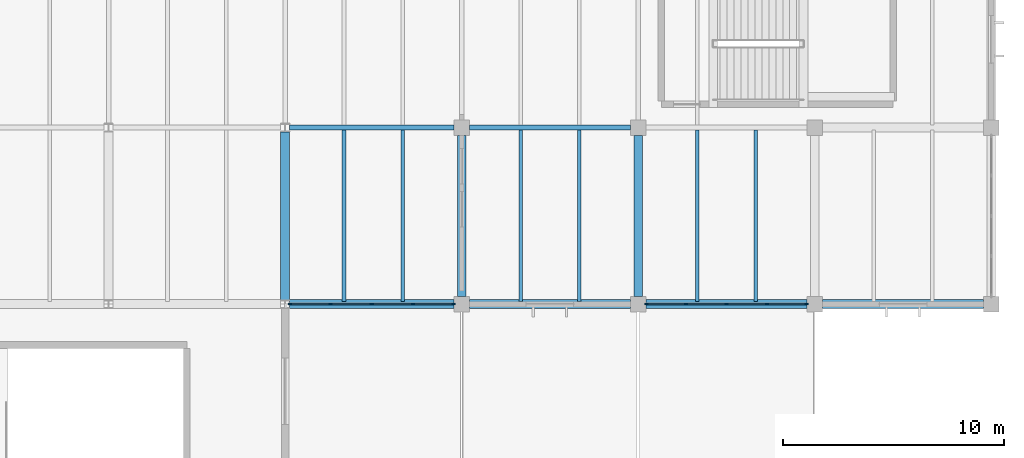
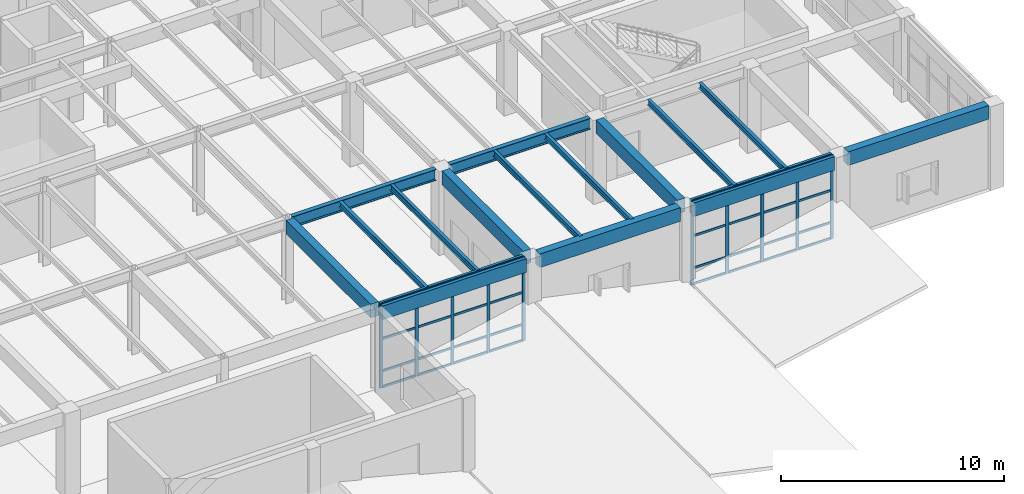
# One storey, part 26 of 60: 42 members, 15 beams, 2 elements without a shape of their own.
"""IFC4 building model written with IfcOpenShell, lengths in metres."""

from ifc_helpers import new_model, si_unit, direction, frame, origin, origin_2d, place, context, subcontext, project, spatial, rectangle, i_section, extrude, material, layer, layer_set, material_profile, profile_set, type_object, element, aggregate, save


model = new_model("IFC4")

# Units and contexts
model_context = context("Model", 3, precision=1e-05, world=origin(), true_north=direction((0.0, 1.0)))
body_context = subcontext(model_context, "Body", "Model", "MODEL_VIEW")
ifc_project = project(units=[si_unit("LENGTHUNIT", "METRE"), si_unit("AREAUNIT", "SQUARE_METRE"), si_unit("VOLUMEUNIT", "CUBIC_METRE"), si_unit("PLANEANGLEUNIT", "RADIAN"), si_unit("MASSUNIT", "GRAM", prefix="KILO")], contexts=[model_context])

# Site, building, storey
site_placement = place(None, origin())
site = spatial("IfcSite", under=ifc_project, at=site_placement, CompositionType="ELEMENT")
building_placement = place(site_placement, origin())
building = spatial("IfcBuilding", under=site, at=building_placement, Name="Varnela Railside Interchange", CompositionType="ELEMENT")
storey_placement = place(building_placement, frame((0.0, 0.0, 6.300048828125)))
storey = spatial("IfcBuildingStorey", under=building, at=storey_placement, Name="L01", CompositionType="ELEMENT", Elevation=6.300048828125)

# Beams
ifc_material_1 = material(Name="Steel AR 350 (350 MPa)", Category="steel")
ifc_material_profile_1 = material_profile(ifc_material_1, i_section(OverallWidth=0.1650390625, OverallDepth=0.31005859375, WebThickness=0.005859375, FlangeThickness=0.009765625, at=origin_2d()), Name="W310x38.7")
ifc_profile_set_1 = profile_set([ifc_material_profile_1], Name="Steel AR 350 (350 MPa)")
beam_type_1 = type_object("IfcBeamType", Name="Composite Floor Joist J-04", PredefinedType="JOIST", material=ifc_profile_set_1)
for number, where, z_axis, x_axis, name in (
    (1, (134.669921875, 38.114501953125, 4.445068359375), (0.0, 1.0, 0.0), (-1.0, 0.0, 0.0), "Composite Floor Joist J-04 (L01) (BM-1510)"),
    (2, (137.330078125, 38.114501953125, 4.445068359375), (0.0, 1.0, 0.0), (-1.0, 0.0, 0.0), "Composite Floor Joist J-04 (L01) (BM-1511)"),
    (3, (142.669921875, 38.114501953125, 4.445068359375), (0.0, 1.0, 0.0), (-1.0, 0.0, 0.0), "Composite Floor Joist J-04 (L01) (BM-1520)"),
    (4, (145.330078125, 38.114501953125, 4.445068359375), (0.0, 1.0, 0.0), (-1.0, 0.0, 0.0), "Composite Floor Joist J-04 (L01) (BM-1521)"),
    (5, (150.669921875, 38.114501953125, 4.445068359375), (0.0, 1.0, 0.0), (-1.0, 0.0, 0.0), "Composite Floor Joist J-04 (L01) (BM-1526)"),
    (6, (153.330078125, 38.114501953125, 4.445068359375), (0.0, 1.0, 0.0), (-1.0, 0.0, 0.0), "Composite Floor Joist J-04 (L01) (BM-1527)"),
):
    element("IfcBeam", number, at=place(storey_placement, frame(where, z_axis=z_axis, x_axis=x_axis)), inside=storey, type_object=beam_type_1, Name=name, PredefinedType="JOIST", context=body_context, shape_type="SweptSolid", body=[
        extrude(i_section(OverallWidth=0.1650390625, OverallDepth=0.31005859375, WebThickness=0.005859375, FlangeThickness=0.009765625, at=origin_2d()), origin(), (0.0, 0.0, 1.0), 7.77099609375),
    ])

# Curtain wall, members
ifc_material_2 = material(Name="Aluminium 6063-T6", Category="aluminium")
ifc_layer = layer(ifc_material_2, 0.035888671875)
ifc_layer_set = layer_set([ifc_layer], Name="Aluminium 6063-T6")
curtain_wall_type = type_object("IfcCurtainWallType", Name="Study Pavilion Gallery Curtain Wall CW-02", PredefinedType="USERDEFINED", material=ifc_layer_set)
curtain_wall_1_placement = place(storey_placement, origin())
curtain_wall_1 = element("IfcCurtainWall", 7, at=curtain_wall_1_placement, inside=storey, type_object=curtain_wall_type, Name="Curtain Wall CW-02 (L01) (CW-039)", ObjectType="CURTAIN WALL", PredefinedType="USERDEFINED")
ifc_material_profile_2 = material_profile(ifc_material_2, rectangle(XDim=0.06005859375, YDim=0.159912109375, at=origin_2d()), Name="ALU 60x160")
ifc_profile_set_2 = profile_set([ifc_material_profile_2], Name="Aluminium 6063-T6")
member_type_1 = type_object("IfcMemberType", Name="Curtain Wall Mullion ML-02", PredefinedType="MULLION", material=ifc_profile_set_2)
member_1_placement = place(storey_placement, frame((155.6201171875, 38.0, 0.0), z_axis=(0.0, 0.0, 1.0), x_axis=(0.0, -1.0, 0.0)))
member_1 = element("IfcMember", 8, at=member_1_placement, type_object=member_type_1, Name="CW-02 mullion 1", PredefinedType="MULLION", context=body_context, shape_type="SweptSolid", body=[
    extrude(rectangle(XDim=0.06005859375, YDim=0.159912109375, at=origin_2d()), origin(), (0.0, 0.0, 1.0), 4.599853515625),
])
member_2_placement = place(storey_placement, frame((153.824951171875, 38.0, 0.0), z_axis=(0.0, 0.0, 1.0), x_axis=(0.0, -1.0, 0.0)))
member_2 = element("IfcMember", 9, at=member_2_placement, type_object=member_type_1, Name="CW-02 mullion 2", PredefinedType="MULLION", context=body_context, shape_type="SweptSolid", body=[
    extrude(rectangle(XDim=0.06005859375, YDim=0.159912109375, at=origin_2d()), origin(), (0.0, 0.0, 1.0), 4.599853515625),
])
member_3_placement = place(storey_placement, frame((152.0, 38.0, 0.0), z_axis=(0.0, 0.0, 1.0), x_axis=(0.0, -1.0, 0.0)))
member_3 = element("IfcMember", 10, at=member_3_placement, type_object=member_type_1, Name="CW-02 mullion 3", PredefinedType="MULLION", context=body_context, shape_type="SweptSolid", body=[
    extrude(rectangle(XDim=0.06005859375, YDim=0.159912109375, at=origin_2d()), origin(), (0.0, 0.0, 1.0), 4.599853515625),
])
member_4_placement = place(storey_placement, frame((150.175048828125, 38.0, 0.0), z_axis=(0.0, 0.0, 1.0), x_axis=(0.0, -1.0, 0.0)))
member_4 = element("IfcMember", 11, at=member_4_placement, type_object=member_type_1, Name="CW-02 mullion 4", PredefinedType="MULLION", context=body_context, shape_type="SweptSolid", body=[
    extrude(rectangle(XDim=0.06005859375, YDim=0.159912109375, at=origin_2d()), origin(), (0.0, 0.0, 1.0), 4.599853515625),
])
member_5_placement = place(storey_placement, frame((148.3798828125, 38.0, 0.0), z_axis=(0.0, 0.0, 1.0), x_axis=(0.0, -1.0, 0.0)))
member_5 = element("IfcMember", 12, at=member_5_placement, type_object=member_type_1, Name="CW-02 mullion 5", PredefinedType="MULLION", context=body_context, shape_type="SweptSolid", body=[
    extrude(rectangle(XDim=0.06005859375, YDim=0.159912109375, at=origin_2d()), origin(), (0.0, 0.0, 1.0), 4.599853515625),
])

curtain_wall_2_placement = place(storey_placement, origin())
curtain_wall_2 = element("IfcCurtainWall", 13, at=curtain_wall_2_placement, inside=storey, type_object=curtain_wall_type, Name="Curtain Wall CW-02 (L01) (CW-041)", ObjectType="CURTAIN WALL", PredefinedType="USERDEFINED")
member_6_placement = place(storey_placement, frame((139.6201171875, 38.0, 0.0), z_axis=(0.0, 0.0, 1.0), x_axis=(0.0, -1.0, 0.0)))
member_6 = element("IfcMember", 14, at=member_6_placement, type_object=member_type_1, Name="CW-02 mullion 1", PredefinedType="MULLION", context=body_context, shape_type="SweptSolid", body=[
    extrude(rectangle(XDim=0.06005859375, YDim=0.159912109375, at=origin_2d()), origin(), (0.0, 0.0, 1.0), 4.599853515625),
])
member_7_placement = place(storey_placement, frame((137.787353515625, 38.0, 0.0), z_axis=(0.0, 0.0, 1.0), x_axis=(0.0, -1.0, 0.0)))
member_7 = element("IfcMember", 15, at=member_7_placement, type_object=member_type_1, Name="CW-02 mullion 2", PredefinedType="MULLION", context=body_context, shape_type="SweptSolid", body=[
    extrude(rectangle(XDim=0.06005859375, YDim=0.159912109375, at=origin_2d()), origin(), (0.0, 0.0, 1.0), 4.599853515625),
])
member_8_placement = place(storey_placement, frame((135.924560546875, 38.0, 0.0), z_axis=(0.0, 0.0, 1.0), x_axis=(0.0, -1.0, 0.0)))
member_8 = element("IfcMember", 16, at=member_8_placement, type_object=member_type_1, Name="CW-02 mullion 3", PredefinedType="MULLION", context=body_context, shape_type="SweptSolid", body=[
    extrude(rectangle(XDim=0.06005859375, YDim=0.159912109375, at=origin_2d()), origin(), (0.0, 0.0, 1.0), 4.599853515625),
])
member_9_placement = place(storey_placement, frame((134.061767578125, 38.0, 0.0), z_axis=(0.0, 0.0, 1.0), x_axis=(0.0, -1.0, 0.0)))
member_9 = element("IfcMember", 17, at=member_9_placement, type_object=member_type_1, Name="CW-02 mullion 4", PredefinedType="MULLION", context=body_context, shape_type="SweptSolid", body=[
    extrude(rectangle(XDim=0.06005859375, YDim=0.159912109375, at=origin_2d()), origin(), (0.0, 0.0, 1.0), 4.599853515625),
])
member_10_placement = place(storey_placement, frame((132.22900390625, 38.0, 0.0), z_axis=(0.0, 0.0, 1.0), x_axis=(0.0, -1.0, 0.0)))
member_10 = element("IfcMember", 18, at=member_10_placement, type_object=member_type_1, Name="CW-02 mullion 5", PredefinedType="MULLION", context=body_context, shape_type="SweptSolid", body=[
    extrude(rectangle(XDim=0.06005859375, YDim=0.159912109375, at=origin_2d()), origin(), (0.0, 0.0, 1.0), 4.599853515625),
])

# Member
ifc_material_profile_3 = material_profile(ifc_material_2, rectangle(XDim=0.06005859375, YDim=0.1201171875, at=origin_2d()), Name="ALU 60x120")
ifc_profile_set_3 = profile_set([ifc_material_profile_3], Name="Aluminium 6063-T6")
member_type_2 = type_object("IfcMemberType", Name="Curtain Wall Transom TR-02", PredefinedType="USERDEFINED", material=ifc_profile_set_3)
member_11_placement = place(storey_placement, frame((155.590087890625, 38.0, 0.030029296875), z_axis=(-1.0, 0.0, 0.0), x_axis=(0.0, -1.0, 0.0)))
member_11 = element("IfcMember", 19, at=member_11_placement, type_object=member_type_2, Name="CW-02 transom 1.1", ObjectType="TRANSOM", PredefinedType="USERDEFINED", context=body_context, shape_type="SweptSolid", body=[
    extrude(rectangle(XDim=0.06005859375, YDim=0.1201171875, at=origin_2d()), origin(), (0.0, 0.0, 1.0), 1.735107421875),
])

member_12_placement = place(storey_placement, frame((155.590087890625, 38.0, 0.89990234375), z_axis=(-1.0, 0.0, 0.0), x_axis=(0.0, -1.0, 0.0)))
member_12 = element("IfcMember", 20, at=member_12_placement, type_object=member_type_2, Name="CW-02 transom 1.2", ObjectType="TRANSOM", PredefinedType="USERDEFINED", context=body_context, shape_type="SweptSolid", body=[
    extrude(rectangle(XDim=0.06005859375, YDim=0.1201171875, at=origin_2d()), origin(), (0.0, 0.0, 1.0), 1.735107421875),
])

member_13_placement = place(storey_placement, frame((155.590087890625, 38.0, 2.66796875), z_axis=(-1.0, 0.0, 0.0), x_axis=(0.0, -1.0, 0.0)))
member_13 = element("IfcMember", 21, at=member_13_placement, type_object=member_type_2, Name="CW-02 transom 1.3", ObjectType="TRANSOM", PredefinedType="USERDEFINED", context=body_context, shape_type="SweptSolid", body=[
    extrude(rectangle(XDim=0.06005859375, YDim=0.1201171875, at=origin_2d()), origin(), (0.0, 0.0, 1.0), 1.735107421875),
])

member_14_placement = place(storey_placement, frame((155.590087890625, 38.0, 4.570068359375), z_axis=(-1.0, 0.0, 0.0), x_axis=(0.0, -1.0, 0.0)))
member_14 = element("IfcMember", 22, at=member_14_placement, type_object=member_type_2, Name="CW-02 transom 1.4", ObjectType="TRANSOM", PredefinedType="USERDEFINED", context=body_context, shape_type="SweptSolid", body=[
    extrude(rectangle(XDim=0.06005859375, YDim=0.1201171875, at=origin_2d()), origin(), (0.0, 0.0, 1.0), 1.735107421875),
])

member_15_placement = place(storey_placement, frame((153.794921875, 38.0, 0.030029296875), z_axis=(-1.0, 0.0, 0.0), x_axis=(0.0, -1.0, 0.0)))
member_15 = element("IfcMember", 23, at=member_15_placement, type_object=member_type_2, Name="CW-02 transom 2.1", ObjectType="TRANSOM", PredefinedType="USERDEFINED", context=body_context, shape_type="SweptSolid", body=[
    extrude(rectangle(XDim=0.06005859375, YDim=0.1201171875, at=origin_2d()), origin(), (0.0, 0.0, 1.0), 1.764892578125),
])

member_16_placement = place(storey_placement, frame((153.794921875, 38.0, 0.89990234375), z_axis=(-1.0, 0.0, 0.0), x_axis=(0.0, -1.0, 0.0)))
member_16 = element("IfcMember", 24, at=member_16_placement, type_object=member_type_2, Name="CW-02 transom 2.2", ObjectType="TRANSOM", PredefinedType="USERDEFINED", context=body_context, shape_type="SweptSolid", body=[
    extrude(rectangle(XDim=0.06005859375, YDim=0.1201171875, at=origin_2d()), origin(), (0.0, 0.0, 1.0), 1.764892578125),
])

member_17_placement = place(storey_placement, frame((153.794921875, 38.0, 2.66796875), z_axis=(-1.0, 0.0, 0.0), x_axis=(0.0, -1.0, 0.0)))
member_17 = element("IfcMember", 25, at=member_17_placement, type_object=member_type_2, Name="CW-02 transom 2.3", ObjectType="TRANSOM", PredefinedType="USERDEFINED", context=body_context, shape_type="SweptSolid", body=[
    extrude(rectangle(XDim=0.06005859375, YDim=0.1201171875, at=origin_2d()), origin(), (0.0, 0.0, 1.0), 1.764892578125),
])

member_18_placement = place(storey_placement, frame((153.794921875, 38.0, 4.570068359375), z_axis=(-1.0, 0.0, 0.0), x_axis=(0.0, -1.0, 0.0)))
member_18 = element("IfcMember", 26, at=member_18_placement, type_object=member_type_2, Name="CW-02 transom 2.4", ObjectType="TRANSOM", PredefinedType="USERDEFINED", context=body_context, shape_type="SweptSolid", body=[
    extrude(rectangle(XDim=0.06005859375, YDim=0.1201171875, at=origin_2d()), origin(), (0.0, 0.0, 1.0), 1.764892578125),
])

member_19_placement = place(storey_placement, frame((151.969970703125, 38.0, 0.030029296875), z_axis=(-1.0, 0.0, 0.0), x_axis=(0.0, -1.0, 0.0)))
member_19 = element("IfcMember", 27, at=member_19_placement, type_object=member_type_2, Name="CW-02 transom 3.1", ObjectType="TRANSOM", PredefinedType="USERDEFINED", context=body_context, shape_type="SweptSolid", body=[
    extrude(rectangle(XDim=0.06005859375, YDim=0.1201171875, at=origin_2d()), origin(), (0.0, 0.0, 1.0), 1.764892578125),
])

member_20_placement = place(storey_placement, frame((151.969970703125, 38.0, 0.89990234375), z_axis=(-1.0, 0.0, 0.0), x_axis=(0.0, -1.0, 0.0)))
member_20 = element("IfcMember", 28, at=member_20_placement, type_object=member_type_2, Name="CW-02 transom 3.2", ObjectType="TRANSOM", PredefinedType="USERDEFINED", context=body_context, shape_type="SweptSolid", body=[
    extrude(rectangle(XDim=0.06005859375, YDim=0.1201171875, at=origin_2d()), origin(), (0.0, 0.0, 1.0), 1.764892578125),
])

member_21_placement = place(storey_placement, frame((151.969970703125, 38.0, 2.66796875), z_axis=(-1.0, 0.0, 0.0), x_axis=(0.0, -1.0, 0.0)))
member_21 = element("IfcMember", 29, at=member_21_placement, type_object=member_type_2, Name="CW-02 transom 3.3", ObjectType="TRANSOM", PredefinedType="USERDEFINED", context=body_context, shape_type="SweptSolid", body=[
    extrude(rectangle(XDim=0.06005859375, YDim=0.1201171875, at=origin_2d()), origin(), (0.0, 0.0, 1.0), 1.764892578125),
])

member_22_placement = place(storey_placement, frame((151.969970703125, 38.0, 4.570068359375), z_axis=(-1.0, 0.0, 0.0), x_axis=(0.0, -1.0, 0.0)))
member_22 = element("IfcMember", 30, at=member_22_placement, type_object=member_type_2, Name="CW-02 transom 3.4", ObjectType="TRANSOM", PredefinedType="USERDEFINED", context=body_context, shape_type="SweptSolid", body=[
    extrude(rectangle(XDim=0.06005859375, YDim=0.1201171875, at=origin_2d()), origin(), (0.0, 0.0, 1.0), 1.764892578125),
])

member_23_placement = place(storey_placement, frame((150.14501953125, 38.0, 0.030029296875), z_axis=(-1.0, 0.0, 0.0), x_axis=(0.0, -1.0, 0.0)))
member_23 = element("IfcMember", 31, at=member_23_placement, type_object=member_type_2, Name="CW-02 transom 4.1", ObjectType="TRANSOM", PredefinedType="USERDEFINED", context=body_context, shape_type="SweptSolid", body=[
    extrude(rectangle(XDim=0.06005859375, YDim=0.1201171875, at=origin_2d()), origin(), (0.0, 0.0, 1.0), 1.735107421875),
])

member_24_placement = place(storey_placement, frame((150.14501953125, 38.0, 0.89990234375), z_axis=(-1.0, 0.0, 0.0), x_axis=(0.0, -1.0, 0.0)))
member_24 = element("IfcMember", 32, at=member_24_placement, type_object=member_type_2, Name="CW-02 transom 4.2", ObjectType="TRANSOM", PredefinedType="USERDEFINED", context=body_context, shape_type="SweptSolid", body=[
    extrude(rectangle(XDim=0.06005859375, YDim=0.1201171875, at=origin_2d()), origin(), (0.0, 0.0, 1.0), 1.735107421875),
])

member_25_placement = place(storey_placement, frame((150.14501953125, 38.0, 2.66796875), z_axis=(-1.0, 0.0, 0.0), x_axis=(0.0, -1.0, 0.0)))
member_25 = element("IfcMember", 33, at=member_25_placement, type_object=member_type_2, Name="CW-02 transom 4.3", ObjectType="TRANSOM", PredefinedType="USERDEFINED", context=body_context, shape_type="SweptSolid", body=[
    extrude(rectangle(XDim=0.06005859375, YDim=0.1201171875, at=origin_2d()), origin(), (0.0, 0.0, 1.0), 1.735107421875),
])

member_26_placement = place(storey_placement, frame((150.14501953125, 38.0, 4.570068359375), z_axis=(-1.0, 0.0, 0.0), x_axis=(0.0, -1.0, 0.0)))
member_26 = element("IfcMember", 34, at=member_26_placement, type_object=member_type_2, Name="CW-02 transom 4.4", ObjectType="TRANSOM", PredefinedType="USERDEFINED", context=body_context, shape_type="SweptSolid", body=[
    extrude(rectangle(XDim=0.06005859375, YDim=0.1201171875, at=origin_2d()), origin(), (0.0, 0.0, 1.0), 1.735107421875),
])

aggregate(curtain_wall_1, [member_1, member_2, member_3, member_4, member_5, member_11, member_12, member_13, member_14, member_15, member_16, member_17, member_18, member_19, member_20, member_21, member_22, member_23, member_24, member_25, member_26])

member_27_placement = place(storey_placement, frame((139.590087890625, 38.0, 0.030029296875), z_axis=(-1.0, 0.0, 0.0), x_axis=(0.0, -1.0, 0.0)))
member_27 = element("IfcMember", 35, at=member_27_placement, type_object=member_type_2, Name="CW-02 transom 1.1", ObjectType="TRANSOM", PredefinedType="USERDEFINED", context=body_context, shape_type="SweptSolid", body=[
    extrude(rectangle(XDim=0.06005859375, YDim=0.1201171875, at=origin_2d()), origin(), (0.0, 0.0, 1.0), 1.77294921875),
])

member_28_placement = place(storey_placement, frame((139.590087890625, 38.0, 0.89990234375), z_axis=(-1.0, 0.0, 0.0), x_axis=(0.0, -1.0, 0.0)))
member_28 = element("IfcMember", 36, at=member_28_placement, type_object=member_type_2, Name="CW-02 transom 1.2", ObjectType="TRANSOM", PredefinedType="USERDEFINED", context=body_context, shape_type="SweptSolid", body=[
    extrude(rectangle(XDim=0.06005859375, YDim=0.1201171875, at=origin_2d()), origin(), (0.0, 0.0, 1.0), 1.77294921875),
])

member_29_placement = place(storey_placement, frame((139.590087890625, 38.0, 2.66796875), z_axis=(-1.0, 0.0, 0.0), x_axis=(0.0, -1.0, 0.0)))
member_29 = element("IfcMember", 37, at=member_29_placement, type_object=member_type_2, Name="CW-02 transom 1.3", ObjectType="TRANSOM", PredefinedType="USERDEFINED", context=body_context, shape_type="SweptSolid", body=[
    extrude(rectangle(XDim=0.06005859375, YDim=0.1201171875, at=origin_2d()), origin(), (0.0, 0.0, 1.0), 1.77294921875),
])

member_30_placement = place(storey_placement, frame((139.590087890625, 38.0, 4.570068359375), z_axis=(-1.0, 0.0, 0.0), x_axis=(0.0, -1.0, 0.0)))
member_30 = element("IfcMember", 38, at=member_30_placement, type_object=member_type_2, Name="CW-02 transom 1.4", ObjectType="TRANSOM", PredefinedType="USERDEFINED", context=body_context, shape_type="SweptSolid", body=[
    extrude(rectangle(XDim=0.06005859375, YDim=0.1201171875, at=origin_2d()), origin(), (0.0, 0.0, 1.0), 1.77294921875),
])

member_31_placement = place(storey_placement, frame((137.75732421875, 38.0, 0.030029296875), z_axis=(-1.0, 0.0, 0.0), x_axis=(0.0, -1.0, 0.0)))
member_31 = element("IfcMember", 39, at=member_31_placement, type_object=member_type_2, Name="CW-02 transom 2.1", ObjectType="TRANSOM", PredefinedType="USERDEFINED", context=body_context, shape_type="SweptSolid", body=[
    extrude(rectangle(XDim=0.06005859375, YDim=0.1201171875, at=origin_2d()), origin(), (0.0, 0.0, 1.0), 1.802734375),
])

member_32_placement = place(storey_placement, frame((137.75732421875, 38.0, 0.89990234375), z_axis=(-1.0, 0.0, 0.0), x_axis=(0.0, -1.0, 0.0)))
member_32 = element("IfcMember", 40, at=member_32_placement, type_object=member_type_2, Name="CW-02 transom 2.2", ObjectType="TRANSOM", PredefinedType="USERDEFINED", context=body_context, shape_type="SweptSolid", body=[
    extrude(rectangle(XDim=0.06005859375, YDim=0.1201171875, at=origin_2d()), origin(), (0.0, 0.0, 1.0), 1.802734375),
])

member_33_placement = place(storey_placement, frame((137.75732421875, 38.0, 2.66796875), z_axis=(-1.0, 0.0, 0.0), x_axis=(0.0, -1.0, 0.0)))
member_33 = element("IfcMember", 41, at=member_33_placement, type_object=member_type_2, Name="CW-02 transom 2.3", ObjectType="TRANSOM", PredefinedType="USERDEFINED", context=body_context, shape_type="SweptSolid", body=[
    extrude(rectangle(XDim=0.06005859375, YDim=0.1201171875, at=origin_2d()), origin(), (0.0, 0.0, 1.0), 1.802734375),
])

member_34_placement = place(storey_placement, frame((137.75732421875, 38.0, 4.570068359375), z_axis=(-1.0, 0.0, 0.0), x_axis=(0.0, -1.0, 0.0)))
member_34 = element("IfcMember", 42, at=member_34_placement, type_object=member_type_2, Name="CW-02 transom 2.4", ObjectType="TRANSOM", PredefinedType="USERDEFINED", context=body_context, shape_type="SweptSolid", body=[
    extrude(rectangle(XDim=0.06005859375, YDim=0.1201171875, at=origin_2d()), origin(), (0.0, 0.0, 1.0), 1.802734375),
])

member_35_placement = place(storey_placement, frame((135.89453125, 38.0, 0.030029296875), z_axis=(-1.0, 0.0, 0.0), x_axis=(0.0, -1.0, 0.0)))
member_35 = element("IfcMember", 43, at=member_35_placement, type_object=member_type_2, Name="CW-02 transom 3.1", ObjectType="TRANSOM", PredefinedType="USERDEFINED", context=body_context, shape_type="SweptSolid", body=[
    extrude(rectangle(XDim=0.06005859375, YDim=0.1201171875, at=origin_2d()), origin(), (0.0, 0.0, 1.0), 1.802734375),
])

member_36_placement = place(storey_placement, frame((135.89453125, 38.0, 0.89990234375), z_axis=(-1.0, 0.0, 0.0), x_axis=(0.0, -1.0, 0.0)))
member_36 = element("IfcMember", 44, at=member_36_placement, type_object=member_type_2, Name="CW-02 transom 3.2", ObjectType="TRANSOM", PredefinedType="USERDEFINED", context=body_context, shape_type="SweptSolid", body=[
    extrude(rectangle(XDim=0.06005859375, YDim=0.1201171875, at=origin_2d()), origin(), (0.0, 0.0, 1.0), 1.802734375),
])

member_37_placement = place(storey_placement, frame((135.89453125, 38.0, 2.66796875), z_axis=(-1.0, 0.0, 0.0), x_axis=(0.0, -1.0, 0.0)))
member_37 = element("IfcMember", 45, at=member_37_placement, type_object=member_type_2, Name="CW-02 transom 3.3", ObjectType="TRANSOM", PredefinedType="USERDEFINED", context=body_context, shape_type="SweptSolid", body=[
    extrude(rectangle(XDim=0.06005859375, YDim=0.1201171875, at=origin_2d()), origin(), (0.0, 0.0, 1.0), 1.802734375),
])

member_38_placement = place(storey_placement, frame((135.89453125, 38.0, 4.570068359375), z_axis=(-1.0, 0.0, 0.0), x_axis=(0.0, -1.0, 0.0)))
member_38 = element("IfcMember", 46, at=member_38_placement, type_object=member_type_2, Name="CW-02 transom 3.4", ObjectType="TRANSOM", PredefinedType="USERDEFINED", context=body_context, shape_type="SweptSolid", body=[
    extrude(rectangle(XDim=0.06005859375, YDim=0.1201171875, at=origin_2d()), origin(), (0.0, 0.0, 1.0), 1.802734375),
])

member_39_placement = place(storey_placement, frame((134.03173828125, 38.0, 0.030029296875), z_axis=(-1.0, 0.0, 0.0), x_axis=(0.0, -1.0, 0.0)))
member_39 = element("IfcMember", 47, at=member_39_placement, type_object=member_type_2, Name="CW-02 transom 4.1", ObjectType="TRANSOM", PredefinedType="USERDEFINED", context=body_context, shape_type="SweptSolid", body=[
    extrude(rectangle(XDim=0.06005859375, YDim=0.1201171875, at=origin_2d()), origin(), (0.0, 0.0, 1.0), 1.772705078125),
])

member_40_placement = place(storey_placement, frame((134.03173828125, 38.0, 0.89990234375), z_axis=(-1.0, 0.0, 0.0), x_axis=(0.0, -1.0, 0.0)))
member_40 = element("IfcMember", 48, at=member_40_placement, type_object=member_type_2, Name="CW-02 transom 4.2", ObjectType="TRANSOM", PredefinedType="USERDEFINED", context=body_context, shape_type="SweptSolid", body=[
    extrude(rectangle(XDim=0.06005859375, YDim=0.1201171875, at=origin_2d()), origin(), (0.0, 0.0, 1.0), 1.772705078125),
])

member_41_placement = place(storey_placement, frame((134.03173828125, 38.0, 2.66796875), z_axis=(-1.0, 0.0, 0.0), x_axis=(0.0, -1.0, 0.0)))
member_41 = element("IfcMember", 49, at=member_41_placement, type_object=member_type_2, Name="CW-02 transom 4.3", ObjectType="TRANSOM", PredefinedType="USERDEFINED", context=body_context, shape_type="SweptSolid", body=[
    extrude(rectangle(XDim=0.06005859375, YDim=0.1201171875, at=origin_2d()), origin(), (0.0, 0.0, 1.0), 1.772705078125),
])

member_42_placement = place(storey_placement, frame((134.03173828125, 38.0, 4.570068359375), z_axis=(-1.0, 0.0, 0.0), x_axis=(0.0, -1.0, 0.0)))
member_42 = element("IfcMember", 50, at=member_42_placement, type_object=member_type_2, Name="CW-02 transom 4.4", ObjectType="TRANSOM", PredefinedType="USERDEFINED", context=body_context, shape_type="SweptSolid", body=[
    extrude(rectangle(XDim=0.06005859375, YDim=0.1201171875, at=origin_2d()), origin(), (0.0, 0.0, 1.0), 1.772705078125),
])

aggregate(curtain_wall_2, [member_6, member_7, member_8, member_9, member_10, member_27, member_28, member_29, member_30, member_31, member_32, member_33, member_34, member_35, member_36, member_37, member_38, member_39, member_40, member_41, member_42])

# Beams
ifc_material_profile_4 = material_profile(ifc_material_1, i_section(OverallWidth=0.22900390625, OverallDepth=0.612060546875, WebThickness=0.011962890625, FlangeThickness=0.01953125, at=origin_2d()), Name="W610x125")
ifc_profile_set_4 = profile_set([ifc_material_profile_4], Name="Steel AR 350 (350 MPa)")
beam_type_2 = type_object("IfcBeamType", Name="Podium Composite Girder B-15", PredefinedType="BEAM", material=ifc_profile_set_4)
beam_1_placement = place(storey_placement, frame((132.198974609375, 46.0, 4.2939453125), z_axis=(1.0, 0.0, 0.0), x_axis=(0.0, 1.0, 0.0)))
element("IfcBeam", 51, at=beam_1_placement, inside=storey, type_object=beam_type_2, Name="Podium Composite Girder B-15 (L01) (BM-1628)", PredefinedType="BEAM", context=body_context, shape_type="SweptSolid", body=[
    extrude(i_section(OverallWidth=0.22900390625, OverallDepth=0.612060546875, WebThickness=0.011962890625, FlangeThickness=0.01953125, at=origin_2d()), origin(), (0.0, 0.0, 1.0), 7.450927734375),
])
beam_2_placement = place(storey_placement, frame((140.35009765625, 46.0, 4.2939453125), z_axis=(1.0, 0.0, 0.0), x_axis=(0.0, 1.0, 0.0)))
element("IfcBeam", 52, at=beam_2_placement, inside=storey, type_object=beam_type_2, Name="Podium Composite Girder B-15 (L01) (BM-1629)", PredefinedType="BEAM", context=body_context, shape_type="SweptSolid", body=[
    extrude(i_section(OverallWidth=0.22900390625, OverallDepth=0.612060546875, WebThickness=0.011962890625, FlangeThickness=0.01953125, at=origin_2d()), origin(), (0.0, 0.0, 1.0), 7.2998046875),
])
ifc_material_3 = material(Name="Concrete C40 precast", Category="concrete")
ifc_material_profile_5 = material_profile(ifc_material_3, rectangle(XDim=0.39990234375, YDim=0.75, at=origin_2d()), Name="PC 400x750")
ifc_profile_set_5 = profile_set([ifc_material_profile_5], Name="Concrete C40 precast")
beam_type_3 = type_object("IfcBeamType", Name="Precast Facade Spandrel SP-03", PredefinedType="SPANDREL", material=ifc_profile_set_5)
beam_3_placement = place(storey_placement, frame((132.198974609375, 38.0, 4.224853515625), z_axis=(1.0, 0.0, 0.0), x_axis=(0.0, 1.0, 0.0)))
element("IfcBeam", 53, at=beam_3_placement, inside=storey, type_object=beam_type_3, Name="Precast Facade Spandrel SP-03 (L01) (BM-1608)", PredefinedType="SPANDREL", context=body_context, shape_type="SweptSolid", body=[
    extrude(rectangle(XDim=0.39990234375, YDim=0.75, at=origin_2d()), origin(), (0.0, 0.0, 1.0), 7.450927734375),
])
for number, where, z_axis, x_axis, name in (
    (54, (140.35009765625, 38.0, 4.224853515625), (1.0, 0.0, 0.0), (0.0, 1.0, 0.0), "Precast Facade Spandrel SP-03 (L01) (BM-1609)"),
    (55, (148.35009765625, 38.0, 4.224853515625), (1.0, 0.0, 0.0), (0.0, 1.0, 0.0), "Precast Facade Spandrel SP-03 (L01) (BM-1610)"),
    (56, (156.35009765625, 38.0, 4.224853515625), (1.0, 0.0, 0.0), (0.0, 1.0, 0.0), "Precast Facade Spandrel SP-03 (L01) (BM-1611)"),
):
    element("IfcBeam", number, at=place(storey_placement, frame(where, z_axis=z_axis, x_axis=x_axis)), inside=storey, type_object=beam_type_3, Name=name, PredefinedType="SPANDREL", context=body_context, shape_type="SweptSolid", body=[
        extrude(rectangle(XDim=0.39990234375, YDim=0.75, at=origin_2d()), origin(), (0.0, 0.0, 1.0), 7.2998046875),
    ])
beam_4_placement = place(storey_placement, frame((132.0, 38.193603515625, 4.224853515625), z_axis=(0.0, 1.0, 0.0), x_axis=(-1.0, 0.0, 0.0)))
element("IfcBeam", 57, at=beam_4_placement, inside=storey, type_object=beam_type_3, Name="Precast Facade Spandrel SP-03 (L01) (BM-1722)", PredefinedType="SPANDREL", context=body_context, shape_type="SweptSolid", body=[
    extrude(rectangle(XDim=0.39990234375, YDim=0.75, at=origin_2d()), origin(), (0.0, 0.0, 1.0), 7.61279296875),
])
for number, where, z_axis, x_axis, name in (
    (58, (140.0, 38.35009765625, 4.224853515625), (0.0, 1.0, 0.0), (-1.0, 0.0, 0.0), "Precast Facade Spandrel SP-03 (L01) (BM-1728)"),
    (59, (148.0, 38.35009765625, 4.224853515625), (0.0, 1.0, 0.0), (-1.0, 0.0, 0.0), "Precast Facade Spandrel SP-03 (L01) (BM-1735)"),
):
    element("IfcBeam", number, at=place(storey_placement, frame(where, z_axis=z_axis, x_axis=x_axis)), inside=storey, type_object=beam_type_3, Name=name, PredefinedType="SPANDREL", context=body_context, shape_type="SweptSolid", body=[
        extrude(rectangle(XDim=0.39990234375, YDim=0.75, at=origin_2d()), origin(), (0.0, 0.0, 1.0), 7.2998046875),
    ])

save(model, "model.ifc")
